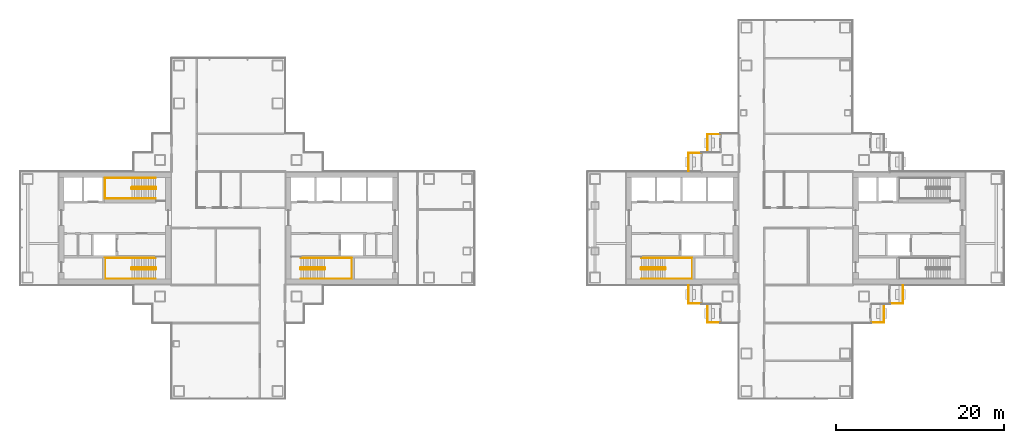
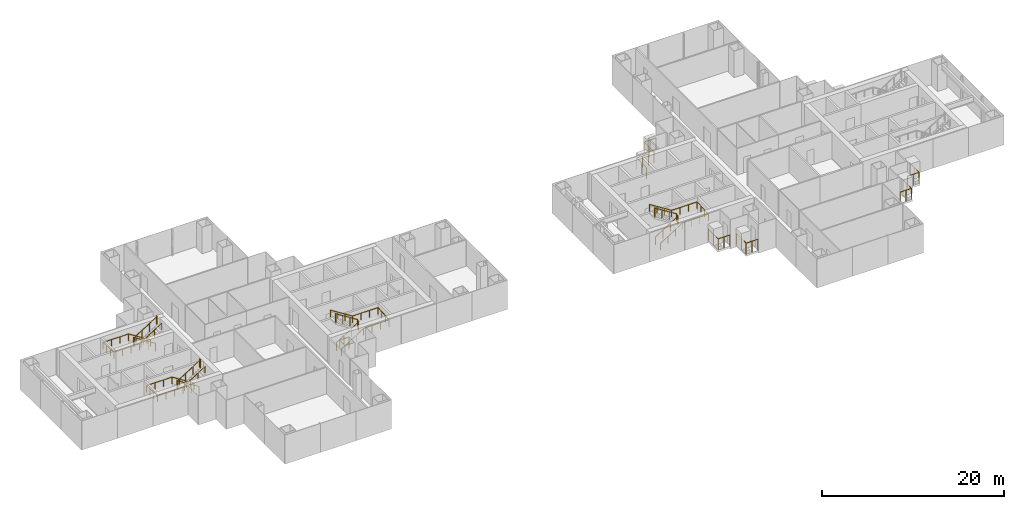
# One storey, part 18 of 20: 14 railings.
"""IFC4 building model written with IfcOpenShell, lengths in metres."""

from ifc_helpers import new_model, si_unit, direction, frame, origin, origin_2d, place, context, subcontext, project, spatial, circle, extrude, material, type_object, element, save


model = new_model("IFC4")

# Units and contexts
model_context = context("Model", 3, precision=1e-05, world=origin(), true_north=direction((0.0, 1.0)))
body_context = subcontext(model_context, "Body", "Model", "MODEL_VIEW")
ifc_project = project(units=[si_unit("LENGTHUNIT", "METRE"), si_unit("AREAUNIT", "SQUARE_METRE"), si_unit("VOLUMEUNIT", "CUBIC_METRE"), si_unit("PLANEANGLEUNIT", "RADIAN"), si_unit("MASSUNIT", "GRAM", prefix="KILO")], contexts=[model_context])

# Site, building, storey
site_placement = place(None, origin())
site = spatial("IfcSite", under=ifc_project, at=site_placement, CompositionType="ELEMENT")
building_placement = place(site_placement, origin())
building = spatial("IfcBuilding", under=site, at=building_placement, Name="Shamsa Quay Exchange Towers", CompositionType="ELEMENT")
storey_placement = place(building_placement, frame((0.0, 0.0, 109.199951171875)))
storey = spatial("IfcBuildingStorey", under=building, at=storey_placement, Name="L25", CompositionType="ELEMENT", Elevation=109.199951171875)

# Railings
ifc_material_1 = material(Name="Steel S355, black powder-coated", Category="steel")
railing_type_1 = type_object("IfcRailingType", Name="BALCONY GUARD 1500", PredefinedType="GUARDRAIL", material=ifc_material_1)
for number, where, name in (
    (1, (24.72900390625, 11.199951171875, 0.0), "Balcony guard T2-PKEN L25"),
    (2, (22.47900390625, 8.949951171875, 0.0), "Balcony guard T2-PKEN L25"),
):
    element("IfcRailing", number, at=place(storey_placement, frame(where)), inside=storey, type_object=railing_type_1, Name=name, PredefinedType="GUARDRAIL", context=body_context, shape_type="SweptSolid", body=[
        extrude(circle(Radius=0.02392578125, at=origin_2d()), frame((0.0, 0.0, 1.47607421875), z_axis=(-1.0, 0.0, 0.0), x_axis=(0.0, -1.0, 0.0)), (0.0, 0.0, 1.0), 1.47900390625),
        extrude(circle(Radius=0.02392578125, at=origin_2d()), frame((-1.47900390625, 0.0, 1.47607421875), z_axis=(0.0, -1.0, 0.0), x_axis=(1.0, 0.0, 0.0)), (0.0, 0.0, 1.0), 2.161865234375),
        extrude(circle(Radius=0.02099609375, at=origin_2d()), origin(), (0.0, 0.0, 1.0), 1.451904296875),
        extrude(circle(Radius=0.02099609375, at=origin_2d()), frame((-0.739501953125, 0.0, 0.0)), (0.0, 0.0, 1.0), 1.451904296875),
        extrude(circle(Radius=0.02099609375, at=origin_2d()), frame((-1.47900390625, 0.0, 0.0)), (0.0, 0.0, 1.0), 1.451904296875),
        extrude(circle(Radius=0.02099609375, at=origin_2d()), frame((-1.47900390625, -1.0810546875, 0.0)), (0.0, 0.0, 1.0), 1.451904296875),
        extrude(circle(Radius=0.02099609375, at=origin_2d()), frame((-1.47900390625, -2.161865234375, 0.0)), (0.0, 0.0, 1.0), 1.451904296875),
    ])
for number, where, name in (
    (3, (21.0, -6.7880859375, 0.0), "Balcony guard T2-PKWN L25"),
    (4, (23.25, -9.0380859375, 0.0), "Balcony guard T2-PKWN L25"),
):
    element("IfcRailing", number, at=place(storey_placement, frame(where)), inside=storey, type_object=railing_type_1, Name=name, PredefinedType="GUARDRAIL", context=body_context, shape_type="SweptSolid", body=[
        extrude(circle(Radius=0.02392578125, at=origin_2d()), frame((0.0, 0.0, 1.47607421875), z_axis=(0.0, -1.0, 0.0), x_axis=(1.0, 0.0, 0.0)), (0.0, 0.0, 1.0), 2.161865234375),
        extrude(circle(Radius=0.02392578125, at=origin_2d()), frame((0.0, -2.161865234375, 1.47607421875), z_axis=(1.0, 0.0, 0.0), x_axis=(0.0, 1.0, 0.0)), (0.0, 0.0, 1.0), 1.47900390625),
        extrude(circle(Radius=0.02099609375, at=origin_2d()), origin(), (0.0, 0.0, 1.0), 1.451904296875),
        extrude(circle(Radius=0.02099609375, at=origin_2d()), frame((0.0, -1.0810546875, 0.0)), (0.0, 0.0, 1.0), 1.451904296875),
        extrude(circle(Radius=0.02099609375, at=origin_2d()), frame((0.0, -2.161865234375, 0.0)), (0.0, 0.0, 1.0), 1.451904296875),
        extrude(circle(Radius=0.02099609375, at=origin_2d()), frame((0.739501953125, -2.161865234375, 0.0)), (0.0, 0.0, 1.0), 1.451904296875),
        extrude(circle(Radius=0.02099609375, at=origin_2d()), frame((1.47900390625, -2.161865234375, 0.0)), (0.0, 0.0, 1.0), 1.451904296875),
    ])
for number, where, name in (
    (5, (42.77099609375, -11.199951171875, 0.0), "Balcony guard T2-PKWS L25"),
    (6, (45.02099609375, -8.949951171875, 0.0), "Balcony guard T2-PKWS L25"),
):
    element("IfcRailing", number, at=place(storey_placement, frame(where)), inside=storey, type_object=railing_type_1, Name=name, PredefinedType="GUARDRAIL", context=body_context, shape_type="SweptSolid", body=[
        extrude(circle(Radius=0.02392578125, at=origin_2d()), frame((0.0, 0.0, 1.47607421875), z_axis=(1.0, 0.0, 0.0), x_axis=(0.0, 1.0, 0.0)), (0.0, 0.0, 1.0), 1.47900390625),
        extrude(circle(Radius=0.02392578125, at=origin_2d()), frame((1.47900390625, 0.0, 1.47607421875), z_axis=(0.0, 1.0, 0.0), x_axis=(-1.0, 0.0, 0.0)), (0.0, 0.0, 1.0), 2.161865234375),
        extrude(circle(Radius=0.02099609375, at=origin_2d()), origin(), (0.0, 0.0, 1.0), 1.451904296875),
        extrude(circle(Radius=0.02099609375, at=origin_2d()), frame((0.739501953125, 0.0, 0.0)), (0.0, 0.0, 1.0), 1.451904296875),
        extrude(circle(Radius=0.02099609375, at=origin_2d()), frame((1.47900390625, 0.0, 0.0)), (0.0, 0.0, 1.0), 1.451904296875),
        extrude(circle(Radius=0.02099609375, at=origin_2d()), frame((1.47900390625, 1.0810546875, 0.0)), (0.0, 0.0, 1.0), 1.451904296875),
        extrude(circle(Radius=0.02099609375, at=origin_2d()), frame((1.47900390625, 2.161865234375, 0.0)), (0.0, 0.0, 1.0), 1.451904296875),
    ])
ifc_material_2 = material(Name="Stainless steel", Category="steel")
railing_type_2 = type_object("IfcRailingType", Name="STAIR GUARD 1100", PredefinedType="GUARDRAIL", material=ifc_material_2)
railing_1_placement = place(storey_placement, frame((-25.10009765625, -4.89990234375, 0.17724609375)))
element("IfcRailing", 7, at=railing_1_placement, inside=storey, type_object=railing_type_2, Name="L25 ST1 stair guard 1", PredefinedType="GUARDRAIL", context=body_context, shape_type="SweptSolid", body=[
    extrude(circle(Radius=0.02392578125, at=origin_2d()), frame((0.0, 0.0, 1.076171875), z_axis=(0.844908973607, 0.0, 0.534910110503), x_axis=(0.0, 1.0, 0.0)), (0.0, 0.0, 1.0), 3.31396484375),
    extrude(circle(Radius=0.02392578125, at=origin_2d()), frame((2.800048828125, 0.0, 2.8486328125), z_axis=(0.708833529934, 0.705375805398, 0.0), x_axis=(-0.705375805398, 0.708833529934, 0.0)), (0.0, 0.0, 1.0), 0.070556640625),
    extrude(circle(Radius=0.02392578125, at=origin_2d()), frame((2.85009765625, 0.0498046875, 2.8486328125), z_axis=(0.0, 1.0, 0.0), x_axis=(-1.0, 0.0, 0.0)), (0.0, 0.0, 1.0), 0.150146484375),
    extrude(circle(Radius=0.02392578125, at=origin_2d()), frame((2.85009765625, 0.199951171875, 2.8486328125), z_axis=(-0.261922500866, 0.261922500866, 0.928866625022), x_axis=(-0.707106781187, -0.707106781187, 0.0)), (0.0, 0.0, 1.0), 0.191162109375),
    extrude(circle(Radius=0.02392578125, at=origin_2d()), frame((2.800048828125, 0.25, 3.0263671875), z_axis=(-0.844908973607, 0.0, 0.534910110503), x_axis=(0.0, -1.0, 0.0)), (0.0, 0.0, 1.0), 3.31396484375),
    extrude(circle(Radius=0.02392578125, at=origin_2d()), frame((0.0, 0.25, 4.798828125), z_axis=(-0.24142163986, -0.970420317083, 0.0), x_axis=(0.970420317083, -0.24142163986, 0.0)), (0.0, 0.0, 1.0), 0.206298828125),
    extrude(circle(Radius=0.02392578125, at=origin_2d()), frame((-0.0498046875, 0.0498046875, 4.798828125), z_axis=(0.0, 1.0, 0.0), x_axis=(-1.0, 0.0, 0.0)), (0.0, 0.0, 1.0), 0.150146484375),
    extrude(circle(Radius=0.02099609375, at=origin_2d()), origin(), (0.0, 0.0, 1.0), 1.052001953125),
    extrude(circle(Radius=0.02099609375, at=origin_2d()), frame((0.933349609375, 0.0, 0.5908203125)), (0.0, 0.0, 1.0), 1.052001953125),
    extrude(circle(Radius=0.02099609375, at=origin_2d()), frame((1.86669921875, 0.0, 1.181884765625)), (0.0, 0.0, 1.0), 1.052001953125),
    extrude(circle(Radius=0.02099609375, at=origin_2d()), frame((2.800048828125, 0.0, 1.772705078125)), (0.0, 0.0, 1.0), 1.052001953125),
    extrude(circle(Radius=0.02099609375, at=origin_2d()), frame((2.85009765625, 0.0498046875, 1.772705078125)), (0.0, 0.0, 1.0), 1.052001953125),
    extrude(circle(Radius=0.02099609375, at=origin_2d()), frame((2.85009765625, 0.199951171875, 1.772705078125)), (0.0, 0.0, 1.0), 1.052001953125),
    extrude(circle(Radius=0.02099609375, at=origin_2d()), frame((2.800048828125, 0.25, 1.9501953125)), (0.0, 0.0, 1.0), 1.052001953125),
    extrude(circle(Radius=0.02099609375, at=origin_2d()), frame((1.86669921875, 0.25, 2.541015625)), (0.0, 0.0, 1.0), 1.052001953125),
    extrude(circle(Radius=0.02099609375, at=origin_2d()), frame((0.933349609375, 0.25, 3.132080078125)), (0.0, 0.0, 1.0), 1.052001953125),
    extrude(circle(Radius=0.02099609375, at=origin_2d()), frame((0.0, 0.25, 3.722900390625)), (0.0, 0.0, 1.0), 1.052001953125),
    extrude(circle(Radius=0.02099609375, at=origin_2d()), frame((-0.0498046875, 0.0498046875, 3.722900390625)), (0.0, 0.0, 1.0), 1.052001953125),
    extrude(circle(Radius=0.02099609375, at=origin_2d()), frame((-0.0498046875, 0.199951171875, 3.722900390625)), (0.0, 0.0, 1.0), 1.052001953125),
])
railing_2_placement = place(storey_placement, frame((-42.39990234375, -4.64990234375, 0.17724609375)))
element("IfcRailing", 8, at=railing_2_placement, inside=storey, type_object=railing_type_2, Name="L25 ST2 stair guard 1", PredefinedType="GUARDRAIL", context=body_context, shape_type="SweptSolid", body=[
    extrude(circle(Radius=0.02392578125, at=origin_2d()), frame((0.0, 0.0, 1.076171875), z_axis=(-0.844908973607, 0.0, 0.534910110503), x_axis=(0.0, -1.0, 0.0)), (0.0, 0.0, 1.0), 3.31396484375),
    extrude(circle(Radius=0.02392578125, at=origin_2d()), frame((-2.800048828125, 0.0, 2.8486328125), z_axis=(-0.707106781187, -0.707106781187, 0.0), x_axis=(0.707106781187, -0.707106781187, 0.0)), (0.0, 0.0, 1.0), 0.07080078125),
    extrude(circle(Radius=0.02392578125, at=origin_2d()), frame((-2.85009765625, -0.050048828125, 2.8486328125), z_axis=(0.0, -1.0, 0.0), x_axis=(1.0, 0.0, 0.0)), (0.0, 0.0, 1.0), 0.150146484375),
    extrude(circle(Radius=0.02392578125, at=origin_2d()), frame((-2.85009765625, -0.2001953125, 2.8486328125), z_axis=(0.262009983441, -0.260731885961, 0.929176868105), x_axis=(0.705375805398, 0.708833529934, 0.0)), (0.0, 0.0, 1.0), 0.19091796875),
    extrude(circle(Radius=0.02392578125, at=origin_2d()), frame((-2.800048828125, -0.25, 3.0263671875), z_axis=(0.844908973607, 0.0, 0.534910110503), x_axis=(0.0, 1.0, 0.0)), (0.0, 0.0, 1.0), 3.31396484375),
    extrude(circle(Radius=0.02392578125, at=origin_2d()), frame((0.0, -0.25, 4.798828125), z_axis=(0.241699205484, 0.970351222016, 0.0), x_axis=(-0.970351222016, 0.241699205484, 0.0)), (0.0, 0.0, 1.0), 0.2060546875),
    extrude(circle(Radius=0.02392578125, at=origin_2d()), frame((0.0498046875, -0.050048828125, 4.798828125), z_axis=(0.0, -1.0, 0.0), x_axis=(1.0, 0.0, 0.0)), (0.0, 0.0, 1.0), 0.150146484375),
    extrude(circle(Radius=0.02099609375, at=origin_2d()), origin(), (0.0, 0.0, 1.0), 1.052001953125),
    extrude(circle(Radius=0.02099609375, at=origin_2d()), frame((-0.933349609375, 0.0, 0.5908203125)), (0.0, 0.0, 1.0), 1.052001953125),
    extrude(circle(Radius=0.02099609375, at=origin_2d()), frame((-1.86669921875, 0.0, 1.181884765625)), (0.0, 0.0, 1.0), 1.052001953125),
    extrude(circle(Radius=0.02099609375, at=origin_2d()), frame((-2.800048828125, 0.0, 1.772705078125)), (0.0, 0.0, 1.0), 1.052001953125),
    extrude(circle(Radius=0.02099609375, at=origin_2d()), frame((-2.85009765625, -0.050048828125, 1.772705078125)), (0.0, 0.0, 1.0), 1.052001953125),
    extrude(circle(Radius=0.02099609375, at=origin_2d()), frame((-2.85009765625, -0.2001953125, 1.772705078125)), (0.0, 0.0, 1.0), 1.052001953125),
    extrude(circle(Radius=0.02099609375, at=origin_2d()), frame((-2.800048828125, -0.25, 1.9501953125)), (0.0, 0.0, 1.0), 1.052001953125),
    extrude(circle(Radius=0.02099609375, at=origin_2d()), frame((-1.86669921875, -0.25, 2.541015625)), (0.0, 0.0, 1.0), 1.052001953125),
    extrude(circle(Radius=0.02099609375, at=origin_2d()), frame((-0.933349609375, -0.25, 3.132080078125)), (0.0, 0.0, 1.0), 1.052001953125),
    extrude(circle(Radius=0.02099609375, at=origin_2d()), frame((0.0, -0.25, 3.722900390625)), (0.0, 0.0, 1.0), 1.052001953125),
    extrude(circle(Radius=0.02099609375, at=origin_2d()), frame((0.0498046875, -0.050048828125, 3.722900390625)), (0.0, 0.0, 1.0), 1.052001953125),
    extrude(circle(Radius=0.02099609375, at=origin_2d()), frame((0.0498046875, -0.2001953125, 3.722900390625)), (0.0, 0.0, 1.0), 1.052001953125),
])
railing_3_placement = place(storey_placement, frame((-42.39990234375, 4.89990234375, 0.17724609375)))
element("IfcRailing", 9, at=railing_3_placement, inside=storey, type_object=railing_type_2, Name="L25 ST3 stair guard 1", PredefinedType="GUARDRAIL", context=body_context, shape_type="SweptSolid", body=[
    extrude(circle(Radius=0.02392578125, at=origin_2d()), frame((0.0, 0.0, 1.076171875), z_axis=(-0.844908973607, 0.0, 0.534910110503), x_axis=(0.0, -1.0, 0.0)), (0.0, 0.0, 1.0), 3.31396484375),
    extrude(circle(Radius=0.02392578125, at=origin_2d()), frame((-2.800048828125, 0.0, 2.8486328125), z_axis=(-0.708833529934, -0.705375805398, 0.0), x_axis=(0.705375805398, -0.708833529934, 0.0)), (0.0, 0.0, 1.0), 0.070556640625),
    extrude(circle(Radius=0.02392578125, at=origin_2d()), frame((-2.85009765625, -0.0498046875, 2.8486328125), z_axis=(0.0, -1.0, 0.0), x_axis=(1.0, 0.0, 0.0)), (0.0, 0.0, 1.0), 0.150146484375),
    extrude(circle(Radius=0.02392578125, at=origin_2d()), frame((-2.85009765625, -0.199951171875, 2.8486328125), z_axis=(0.261922500866, -0.261922500866, 0.928866625022), x_axis=(0.707106781187, 0.707106781187, 0.0)), (0.0, 0.0, 1.0), 0.191162109375),
    extrude(circle(Radius=0.02392578125, at=origin_2d()), frame((-2.800048828125, -0.25, 3.0263671875), z_axis=(0.844908973607, 0.0, 0.534910110503), x_axis=(0.0, 1.0, 0.0)), (0.0, 0.0, 1.0), 3.31396484375),
    extrude(circle(Radius=0.02392578125, at=origin_2d()), frame((0.0, -0.25, 4.798828125), z_axis=(0.24142163986, 0.970420317083, 0.0), x_axis=(-0.970420317083, 0.24142163986, 0.0)), (0.0, 0.0, 1.0), 0.206298828125),
    extrude(circle(Radius=0.02392578125, at=origin_2d()), frame((0.0498046875, -0.0498046875, 4.798828125), z_axis=(0.0, -1.0, 0.0), x_axis=(1.0, 0.0, 0.0)), (0.0, 0.0, 1.0), 0.150146484375),
    extrude(circle(Radius=0.02099609375, at=origin_2d()), origin(), (0.0, 0.0, 1.0), 1.052001953125),
    extrude(circle(Radius=0.02099609375, at=origin_2d()), frame((-0.933349609375, 0.0, 0.5908203125)), (0.0, 0.0, 1.0), 1.052001953125),
    extrude(circle(Radius=0.02099609375, at=origin_2d()), frame((-1.86669921875, 0.0, 1.181884765625)), (0.0, 0.0, 1.0), 1.052001953125),
    extrude(circle(Radius=0.02099609375, at=origin_2d()), frame((-2.800048828125, 0.0, 1.772705078125)), (0.0, 0.0, 1.0), 1.052001953125),
    extrude(circle(Radius=0.02099609375, at=origin_2d()), frame((-2.85009765625, -0.0498046875, 1.772705078125)), (0.0, 0.0, 1.0), 1.052001953125),
    extrude(circle(Radius=0.02099609375, at=origin_2d()), frame((-2.85009765625, -0.199951171875, 1.772705078125)), (0.0, 0.0, 1.0), 1.052001953125),
    extrude(circle(Radius=0.02099609375, at=origin_2d()), frame((-2.800048828125, -0.25, 1.9501953125)), (0.0, 0.0, 1.0), 1.052001953125),
    extrude(circle(Radius=0.02099609375, at=origin_2d()), frame((-1.86669921875, -0.25, 2.541015625)), (0.0, 0.0, 1.0), 1.052001953125),
    extrude(circle(Radius=0.02099609375, at=origin_2d()), frame((-0.933349609375, -0.25, 3.132080078125)), (0.0, 0.0, 1.0), 1.052001953125),
    extrude(circle(Radius=0.02099609375, at=origin_2d()), frame((0.0, -0.25, 3.722900390625)), (0.0, 0.0, 1.0), 1.052001953125),
    extrude(circle(Radius=0.02099609375, at=origin_2d()), frame((0.0498046875, -0.0498046875, 3.722900390625)), (0.0, 0.0, 1.0), 1.052001953125),
    extrude(circle(Radius=0.02099609375, at=origin_2d()), frame((0.0498046875, -0.199951171875, 3.722900390625)), (0.0, 0.0, 1.0), 1.052001953125),
])
railing_4_placement = place(storey_placement, frame((15.39990234375, -4.89990234375, 0.17724609375)))
element("IfcRailing", 10, at=railing_4_placement, inside=storey, type_object=railing_type_2, Name="L25 ST4 stair guard 1", PredefinedType="GUARDRAIL", context=body_context, shape_type="SweptSolid", body=[
    extrude(circle(Radius=0.02392578125, at=origin_2d()), frame((0.0, 0.0, 1.076171875), z_axis=(0.844908973607, 0.0, 0.534910110503), x_axis=(0.0, 1.0, 0.0)), (0.0, 0.0, 1.0), 3.31396484375),
    extrude(circle(Radius=0.02392578125, at=origin_2d()), frame((2.800048828125, 0.0, 2.8486328125), z_axis=(0.708833529934, 0.705375805398, 0.0), x_axis=(-0.705375805398, 0.708833529934, 0.0)), (0.0, 0.0, 1.0), 0.070556640625),
    extrude(circle(Radius=0.02392578125, at=origin_2d()), frame((2.85009765625, 0.0498046875, 2.8486328125), z_axis=(0.0, 1.0, 0.0), x_axis=(-1.0, 0.0, 0.0)), (0.0, 0.0, 1.0), 0.150146484375),
    extrude(circle(Radius=0.02392578125, at=origin_2d()), frame((2.85009765625, 0.199951171875, 2.8486328125), z_axis=(-0.261922500866, 0.261922500866, 0.928866625022), x_axis=(-0.707106781187, -0.707106781187, 0.0)), (0.0, 0.0, 1.0), 0.191162109375),
    extrude(circle(Radius=0.02392578125, at=origin_2d()), frame((2.800048828125, 0.25, 3.0263671875), z_axis=(-0.844908973607, 0.0, 0.534910110503), x_axis=(0.0, -1.0, 0.0)), (0.0, 0.0, 1.0), 3.31396484375),
    extrude(circle(Radius=0.02392578125, at=origin_2d()), frame((0.0, 0.25, 4.798828125), z_axis=(-0.24142163986, -0.970420317083, 0.0), x_axis=(0.970420317083, -0.24142163986, 0.0)), (0.0, 0.0, 1.0), 0.206298828125),
    extrude(circle(Radius=0.02392578125, at=origin_2d()), frame((-0.0498046875, 0.0498046875, 4.798828125), z_axis=(0.0, 1.0, 0.0), x_axis=(-1.0, 0.0, 0.0)), (0.0, 0.0, 1.0), 0.150146484375),
    extrude(circle(Radius=0.02099609375, at=origin_2d()), origin(), (0.0, 0.0, 1.0), 1.052001953125),
    extrude(circle(Radius=0.02099609375, at=origin_2d()), frame((0.933349609375, 0.0, 0.5908203125)), (0.0, 0.0, 1.0), 1.052001953125),
    extrude(circle(Radius=0.02099609375, at=origin_2d()), frame((1.86669921875, 0.0, 1.181884765625)), (0.0, 0.0, 1.0), 1.052001953125),
    extrude(circle(Radius=0.02099609375, at=origin_2d()), frame((2.800048828125, 0.0, 1.772705078125)), (0.0, 0.0, 1.0), 1.052001953125),
    extrude(circle(Radius=0.02099609375, at=origin_2d()), frame((2.85009765625, 0.0498046875, 1.772705078125)), (0.0, 0.0, 1.0), 1.052001953125),
    extrude(circle(Radius=0.02099609375, at=origin_2d()), frame((2.85009765625, 0.199951171875, 1.772705078125)), (0.0, 0.0, 1.0), 1.052001953125),
    extrude(circle(Radius=0.02099609375, at=origin_2d()), frame((2.800048828125, 0.25, 1.9501953125)), (0.0, 0.0, 1.0), 1.052001953125),
    extrude(circle(Radius=0.02099609375, at=origin_2d()), frame((1.86669921875, 0.25, 2.541015625)), (0.0, 0.0, 1.0), 1.052001953125),
    extrude(circle(Radius=0.02099609375, at=origin_2d()), frame((0.933349609375, 0.25, 3.132080078125)), (0.0, 0.0, 1.0), 1.052001953125),
    extrude(circle(Radius=0.02099609375, at=origin_2d()), frame((0.0, 0.25, 3.722900390625)), (0.0, 0.0, 1.0), 1.052001953125),
    extrude(circle(Radius=0.02099609375, at=origin_2d()), frame((-0.0498046875, 0.0498046875, 3.722900390625)), (0.0, 0.0, 1.0), 1.052001953125),
    extrude(circle(Radius=0.02099609375, at=origin_2d()), frame((-0.0498046875, 0.199951171875, 3.722900390625)), (0.0, 0.0, 1.0), 1.052001953125),
])
railing_type_3 = type_object("IfcRailingType", Name="STAIR HANDRAIL 900", PredefinedType="HANDRAIL", material=ifc_material_2)
railing_5_placement = place(storey_placement, frame((-25.10009765625, -6.0, 0.17724609375)))
element("IfcRailing", 11, at=railing_5_placement, inside=storey, type_object=railing_type_3, Name="L25 ST1 stair handrail 1", PredefinedType="HANDRAIL", context=body_context, shape_type="SweptSolid", body=[
    extrude(circle(Radius=0.02392578125, at=origin_2d()), frame((0.0, 0.0, 0.8759765625), z_axis=(0.844908973607, 0.0, 0.534910110503), x_axis=(0.0, 1.0, 0.0)), (0.0, 0.0, 1.0), 3.31396484375),
    extrude(circle(Radius=0.02392578125, at=origin_2d()), frame((2.800048828125, 0.0, 2.6484375), z_axis=(1.0, 0.0, 0.0), x_axis=(0.0, 1.0, 0.0)), (0.0, 0.0, 1.0), 3.25),
    extrude(circle(Radius=0.02392578125, at=origin_2d()), frame((6.050048828125, 0.0, 2.6484375), z_axis=(0.0, 0.997386041853, 0.072257065513), x_axis=(-1.0, 0.0, 0.0)), (0.0, 0.0, 1.0), 2.456298828125),
    extrude(circle(Radius=0.02392578125, at=origin_2d()), frame((6.050048828125, 2.449951171875, 2.826171875), z_axis=(-1.0, 0.0, 0.0), x_axis=(0.0, -1.0, 0.0)), (0.0, 0.0, 1.0), 3.25),
    extrude(circle(Radius=0.02392578125, at=origin_2d()), frame((2.800048828125, 2.449951171875, 2.826171875), z_axis=(-0.844908973607, 0.0, 0.534910110503), x_axis=(0.0, -1.0, 0.0)), (0.0, 0.0, 1.0), 3.31396484375),
    extrude(circle(Radius=0.02099609375, at=origin_2d()), origin(), (0.0, 0.0, 1.0), 0.851806640625),
    extrude(circle(Radius=0.02099609375, at=origin_2d()), frame((0.933349609375, 0.0, 0.5908203125)), (0.0, 0.0, 1.0), 0.851806640625),
    extrude(circle(Radius=0.02099609375, at=origin_2d()), frame((1.86669921875, 0.0, 1.181884765625)), (0.0, 0.0, 1.0), 0.851806640625),
    extrude(circle(Radius=0.02099609375, at=origin_2d()), frame((2.800048828125, 0.0, 1.772705078125)), (0.0, 0.0, 1.0), 0.851806640625),
    extrude(circle(Radius=0.02099609375, at=origin_2d()), frame((3.88330078125, 0.0, 1.772705078125)), (0.0, 0.0, 1.0), 0.851806640625),
    extrude(circle(Radius=0.02099609375, at=origin_2d()), frame((4.966796875, 0.0, 1.772705078125)), (0.0, 0.0, 1.0), 0.851806640625),
    extrude(circle(Radius=0.02099609375, at=origin_2d()), frame((6.050048828125, 0.0, 1.772705078125)), (0.0, 0.0, 1.0), 0.851806640625),
    extrude(circle(Radius=0.02099609375, at=origin_2d()), frame((6.050048828125, 0.816650390625, 1.831787109375)), (0.0, 0.0, 1.0), 0.851806640625),
    extrude(circle(Radius=0.02099609375, at=origin_2d()), frame((6.050048828125, 1.63330078125, 1.89111328125)), (0.0, 0.0, 1.0), 0.851806640625),
    extrude(circle(Radius=0.02099609375, at=origin_2d()), frame((6.050048828125, 2.449951171875, 1.9501953125)), (0.0, 0.0, 1.0), 0.851806640625),
    extrude(circle(Radius=0.02099609375, at=origin_2d()), frame((4.966796875, 2.449951171875, 1.9501953125)), (0.0, 0.0, 1.0), 0.851806640625),
    extrude(circle(Radius=0.02099609375, at=origin_2d()), frame((3.88330078125, 2.449951171875, 1.9501953125)), (0.0, 0.0, 1.0), 0.851806640625),
    extrude(circle(Radius=0.02099609375, at=origin_2d()), frame((2.800048828125, 2.449951171875, 1.9501953125)), (0.0, 0.0, 1.0), 0.851806640625),
    extrude(circle(Radius=0.02099609375, at=origin_2d()), frame((1.86669921875, 2.449951171875, 2.541015625)), (0.0, 0.0, 1.0), 0.851806640625),
    extrude(circle(Radius=0.02099609375, at=origin_2d()), frame((0.933349609375, 2.449951171875, 3.132080078125)), (0.0, 0.0, 1.0), 0.851806640625),
    extrude(circle(Radius=0.02099609375, at=origin_2d()), frame((0.0, 2.449951171875, 3.722900390625)), (0.0, 0.0, 1.0), 0.851806640625),
])
railing_6_placement = place(storey_placement, frame((-42.39990234375, -3.550048828125, 0.17724609375)))
element("IfcRailing", 12, at=railing_6_placement, inside=storey, type_object=railing_type_3, Name="L25 ST2 stair handrail 1", PredefinedType="HANDRAIL", context=body_context, shape_type="SweptSolid", body=[
    extrude(circle(Radius=0.02392578125, at=origin_2d()), frame((0.0, 0.0, 0.8759765625), z_axis=(-0.844908973607, 0.0, 0.534910110503), x_axis=(0.0, -1.0, 0.0)), (0.0, 0.0, 1.0), 3.31396484375),
    extrude(circle(Radius=0.02392578125, at=origin_2d()), frame((-2.800048828125, 0.0, 2.6484375), z_axis=(-1.0, 0.0, 0.0), x_axis=(0.0, -1.0, 0.0)), (0.0, 0.0, 1.0), 3.25),
    extrude(circle(Radius=0.02392578125, at=origin_2d()), frame((-6.050048828125, 0.0, 2.6484375), z_axis=(0.0, -0.997386041853, 0.072257065513), x_axis=(1.0, 0.0, 0.0)), (0.0, 0.0, 1.0), 2.456298828125),
    extrude(circle(Radius=0.02392578125, at=origin_2d()), frame((-6.050048828125, -2.449951171875, 2.826171875), z_axis=(1.0, 0.0, 0.0), x_axis=(0.0, 1.0, 0.0)), (0.0, 0.0, 1.0), 3.25),
    extrude(circle(Radius=0.02392578125, at=origin_2d()), frame((-2.800048828125, -2.449951171875, 2.826171875), z_axis=(0.844908973607, 0.0, 0.534910110503), x_axis=(0.0, 1.0, 0.0)), (0.0, 0.0, 1.0), 3.31396484375),
    extrude(circle(Radius=0.02099609375, at=origin_2d()), origin(), (0.0, 0.0, 1.0), 0.851806640625),
    extrude(circle(Radius=0.02099609375, at=origin_2d()), frame((-0.933349609375, 0.0, 0.5908203125)), (0.0, 0.0, 1.0), 0.851806640625),
    extrude(circle(Radius=0.02099609375, at=origin_2d()), frame((-1.86669921875, 0.0, 1.181884765625)), (0.0, 0.0, 1.0), 0.851806640625),
    extrude(circle(Radius=0.02099609375, at=origin_2d()), frame((-2.800048828125, 0.0, 1.772705078125)), (0.0, 0.0, 1.0), 0.851806640625),
    extrude(circle(Radius=0.02099609375, at=origin_2d()), frame((-3.88330078125, 0.0, 1.772705078125)), (0.0, 0.0, 1.0), 0.851806640625),
    extrude(circle(Radius=0.02099609375, at=origin_2d()), frame((-4.966796875, 0.0, 1.772705078125)), (0.0, 0.0, 1.0), 0.851806640625),
    extrude(circle(Radius=0.02099609375, at=origin_2d()), frame((-6.050048828125, 0.0, 1.772705078125)), (0.0, 0.0, 1.0), 0.851806640625),
    extrude(circle(Radius=0.02099609375, at=origin_2d()), frame((-6.050048828125, -0.816650390625, 1.831787109375)), (0.0, 0.0, 1.0), 0.851806640625),
    extrude(circle(Radius=0.02099609375, at=origin_2d()), frame((-6.050048828125, -1.63330078125, 1.89111328125)), (0.0, 0.0, 1.0), 0.851806640625),
    extrude(circle(Radius=0.02099609375, at=origin_2d()), frame((-6.050048828125, -2.449951171875, 1.9501953125)), (0.0, 0.0, 1.0), 0.851806640625),
    extrude(circle(Radius=0.02099609375, at=origin_2d()), frame((-4.966796875, -2.449951171875, 1.9501953125)), (0.0, 0.0, 1.0), 0.851806640625),
    extrude(circle(Radius=0.02099609375, at=origin_2d()), frame((-3.88330078125, -2.449951171875, 1.9501953125)), (0.0, 0.0, 1.0), 0.851806640625),
    extrude(circle(Radius=0.02099609375, at=origin_2d()), frame((-2.800048828125, -2.449951171875, 1.9501953125)), (0.0, 0.0, 1.0), 0.851806640625),
    extrude(circle(Radius=0.02099609375, at=origin_2d()), frame((-1.86669921875, -2.449951171875, 2.541015625)), (0.0, 0.0, 1.0), 0.851806640625),
    extrude(circle(Radius=0.02099609375, at=origin_2d()), frame((-0.933349609375, -2.449951171875, 3.132080078125)), (0.0, 0.0, 1.0), 0.851806640625),
    extrude(circle(Radius=0.02099609375, at=origin_2d()), frame((0.0, -2.449951171875, 3.722900390625)), (0.0, 0.0, 1.0), 0.851806640625),
])
railing_7_placement = place(storey_placement, frame((-42.39990234375, 6.0, 0.17724609375)))
element("IfcRailing", 13, at=railing_7_placement, inside=storey, type_object=railing_type_3, Name="L25 ST3 stair handrail 1", PredefinedType="HANDRAIL", context=body_context, shape_type="SweptSolid", body=[
    extrude(circle(Radius=0.02392578125, at=origin_2d()), frame((0.0, 0.0, 0.8759765625), z_axis=(-0.844908973607, 0.0, 0.534910110503), x_axis=(0.0, -1.0, 0.0)), (0.0, 0.0, 1.0), 3.31396484375),
    extrude(circle(Radius=0.02392578125, at=origin_2d()), frame((-2.800048828125, 0.0, 2.6484375), z_axis=(-1.0, 0.0, 0.0), x_axis=(0.0, -1.0, 0.0)), (0.0, 0.0, 1.0), 3.25),
    extrude(circle(Radius=0.02392578125, at=origin_2d()), frame((-6.050048828125, 0.0, 2.6484375), z_axis=(0.0, -0.997386041853, 0.072257065513), x_axis=(1.0, 0.0, 0.0)), (0.0, 0.0, 1.0), 2.456298828125),
    extrude(circle(Radius=0.02392578125, at=origin_2d()), frame((-6.050048828125, -2.449951171875, 2.826171875), z_axis=(1.0, 0.0, 0.0), x_axis=(0.0, 1.0, 0.0)), (0.0, 0.0, 1.0), 3.25),
    extrude(circle(Radius=0.02392578125, at=origin_2d()), frame((-2.800048828125, -2.449951171875, 2.826171875), z_axis=(0.844908973607, 0.0, 0.534910110503), x_axis=(0.0, 1.0, 0.0)), (0.0, 0.0, 1.0), 3.31396484375),
    extrude(circle(Radius=0.02099609375, at=origin_2d()), origin(), (0.0, 0.0, 1.0), 0.851806640625),
    extrude(circle(Radius=0.02099609375, at=origin_2d()), frame((-0.933349609375, 0.0, 0.5908203125)), (0.0, 0.0, 1.0), 0.851806640625),
    extrude(circle(Radius=0.02099609375, at=origin_2d()), frame((-1.86669921875, 0.0, 1.181884765625)), (0.0, 0.0, 1.0), 0.851806640625),
    extrude(circle(Radius=0.02099609375, at=origin_2d()), frame((-2.800048828125, 0.0, 1.772705078125)), (0.0, 0.0, 1.0), 0.851806640625),
    extrude(circle(Radius=0.02099609375, at=origin_2d()), frame((-3.88330078125, 0.0, 1.772705078125)), (0.0, 0.0, 1.0), 0.851806640625),
    extrude(circle(Radius=0.02099609375, at=origin_2d()), frame((-4.966796875, 0.0, 1.772705078125)), (0.0, 0.0, 1.0), 0.851806640625),
    extrude(circle(Radius=0.02099609375, at=origin_2d()), frame((-6.050048828125, 0.0, 1.772705078125)), (0.0, 0.0, 1.0), 0.851806640625),
    extrude(circle(Radius=0.02099609375, at=origin_2d()), frame((-6.050048828125, -0.816650390625, 1.831787109375)), (0.0, 0.0, 1.0), 0.851806640625),
    extrude(circle(Radius=0.02099609375, at=origin_2d()), frame((-6.050048828125, -1.63330078125, 1.89111328125)), (0.0, 0.0, 1.0), 0.851806640625),
    extrude(circle(Radius=0.02099609375, at=origin_2d()), frame((-6.050048828125, -2.449951171875, 1.9501953125)), (0.0, 0.0, 1.0), 0.851806640625),
    extrude(circle(Radius=0.02099609375, at=origin_2d()), frame((-4.966796875, -2.449951171875, 1.9501953125)), (0.0, 0.0, 1.0), 0.851806640625),
    extrude(circle(Radius=0.02099609375, at=origin_2d()), frame((-3.88330078125, -2.449951171875, 1.9501953125)), (0.0, 0.0, 1.0), 0.851806640625),
    extrude(circle(Radius=0.02099609375, at=origin_2d()), frame((-2.800048828125, -2.449951171875, 1.9501953125)), (0.0, 0.0, 1.0), 0.851806640625),
    extrude(circle(Radius=0.02099609375, at=origin_2d()), frame((-1.86669921875, -2.449951171875, 2.541015625)), (0.0, 0.0, 1.0), 0.851806640625),
    extrude(circle(Radius=0.02099609375, at=origin_2d()), frame((-0.933349609375, -2.449951171875, 3.132080078125)), (0.0, 0.0, 1.0), 0.851806640625),
    extrude(circle(Radius=0.02099609375, at=origin_2d()), frame((0.0, -2.449951171875, 3.722900390625)), (0.0, 0.0, 1.0), 0.851806640625),
])
railing_8_placement = place(storey_placement, frame((15.39990234375, -6.0, 0.17724609375)))
element("IfcRailing", 14, at=railing_8_placement, inside=storey, type_object=railing_type_3, Name="L25 ST4 stair handrail 1", PredefinedType="HANDRAIL", context=body_context, shape_type="SweptSolid", body=[
    extrude(circle(Radius=0.02392578125, at=origin_2d()), frame((0.0, 0.0, 0.8759765625), z_axis=(0.844908973607, 0.0, 0.534910110503), x_axis=(0.0, 1.0, 0.0)), (0.0, 0.0, 1.0), 3.31396484375),
    extrude(circle(Radius=0.02392578125, at=origin_2d()), frame((2.800048828125, 0.0, 2.6484375), z_axis=(1.0, 0.0, 0.0), x_axis=(0.0, 1.0, 0.0)), (0.0, 0.0, 1.0), 3.25),
    extrude(circle(Radius=0.02392578125, at=origin_2d()), frame((6.050048828125, 0.0, 2.6484375), z_axis=(0.0, 0.997386041853, 0.072257065513), x_axis=(-1.0, 0.0, 0.0)), (0.0, 0.0, 1.0), 2.456298828125),
    extrude(circle(Radius=0.02392578125, at=origin_2d()), frame((6.050048828125, 2.449951171875, 2.826171875), z_axis=(-1.0, 0.0, 0.0), x_axis=(0.0, -1.0, 0.0)), (0.0, 0.0, 1.0), 3.25),
    extrude(circle(Radius=0.02392578125, at=origin_2d()), frame((2.800048828125, 2.449951171875, 2.826171875), z_axis=(-0.844908973607, 0.0, 0.534910110503), x_axis=(0.0, -1.0, 0.0)), (0.0, 0.0, 1.0), 3.31396484375),
    extrude(circle(Radius=0.02099609375, at=origin_2d()), origin(), (0.0, 0.0, 1.0), 0.851806640625),
    extrude(circle(Radius=0.02099609375, at=origin_2d()), frame((0.933349609375, 0.0, 0.5908203125)), (0.0, 0.0, 1.0), 0.851806640625),
    extrude(circle(Radius=0.02099609375, at=origin_2d()), frame((1.86669921875, 0.0, 1.181884765625)), (0.0, 0.0, 1.0), 0.851806640625),
    extrude(circle(Radius=0.02099609375, at=origin_2d()), frame((2.800048828125, 0.0, 1.772705078125)), (0.0, 0.0, 1.0), 0.851806640625),
    extrude(circle(Radius=0.02099609375, at=origin_2d()), frame((3.88330078125, 0.0, 1.772705078125)), (0.0, 0.0, 1.0), 0.851806640625),
    extrude(circle(Radius=0.02099609375, at=origin_2d()), frame((4.966796875, 0.0, 1.772705078125)), (0.0, 0.0, 1.0), 0.851806640625),
    extrude(circle(Radius=0.02099609375, at=origin_2d()), frame((6.050048828125, 0.0, 1.772705078125)), (0.0, 0.0, 1.0), 0.851806640625),
    extrude(circle(Radius=0.02099609375, at=origin_2d()), frame((6.050048828125, 0.816650390625, 1.831787109375)), (0.0, 0.0, 1.0), 0.851806640625),
    extrude(circle(Radius=0.02099609375, at=origin_2d()), frame((6.050048828125, 1.63330078125, 1.89111328125)), (0.0, 0.0, 1.0), 0.851806640625),
    extrude(circle(Radius=0.02099609375, at=origin_2d()), frame((6.050048828125, 2.449951171875, 1.9501953125)), (0.0, 0.0, 1.0), 0.851806640625),
    extrude(circle(Radius=0.02099609375, at=origin_2d()), frame((4.966796875, 2.449951171875, 1.9501953125)), (0.0, 0.0, 1.0), 0.851806640625),
    extrude(circle(Radius=0.02099609375, at=origin_2d()), frame((3.88330078125, 2.449951171875, 1.9501953125)), (0.0, 0.0, 1.0), 0.851806640625),
    extrude(circle(Radius=0.02099609375, at=origin_2d()), frame((2.800048828125, 2.449951171875, 1.9501953125)), (0.0, 0.0, 1.0), 0.851806640625),
    extrude(circle(Radius=0.02099609375, at=origin_2d()), frame((1.86669921875, 2.449951171875, 2.541015625)), (0.0, 0.0, 1.0), 0.851806640625),
    extrude(circle(Radius=0.02099609375, at=origin_2d()), frame((0.933349609375, 2.449951171875, 3.132080078125)), (0.0, 0.0, 1.0), 0.851806640625),
    extrude(circle(Radius=0.02099609375, at=origin_2d()), frame((0.0, 2.449951171875, 3.722900390625)), (0.0, 0.0, 1.0), 0.851806640625),
])

save(model, "model.ifc")
